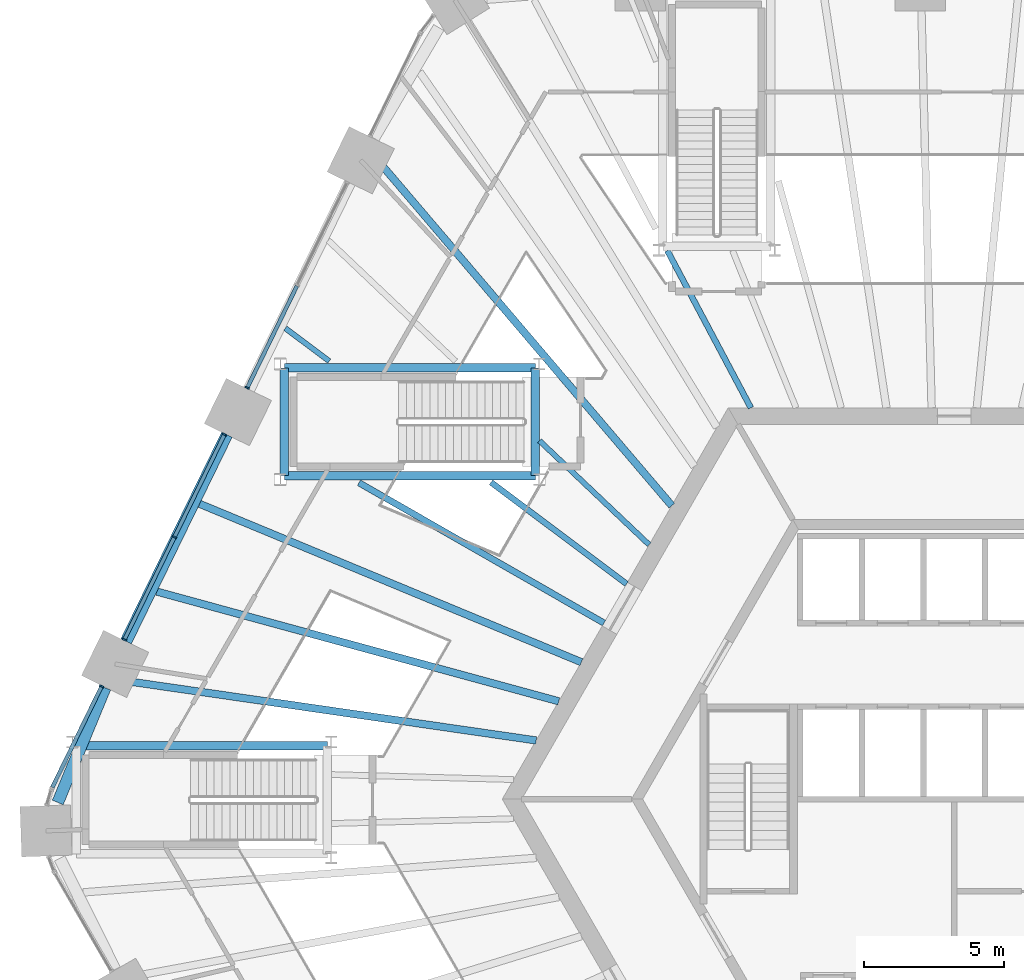
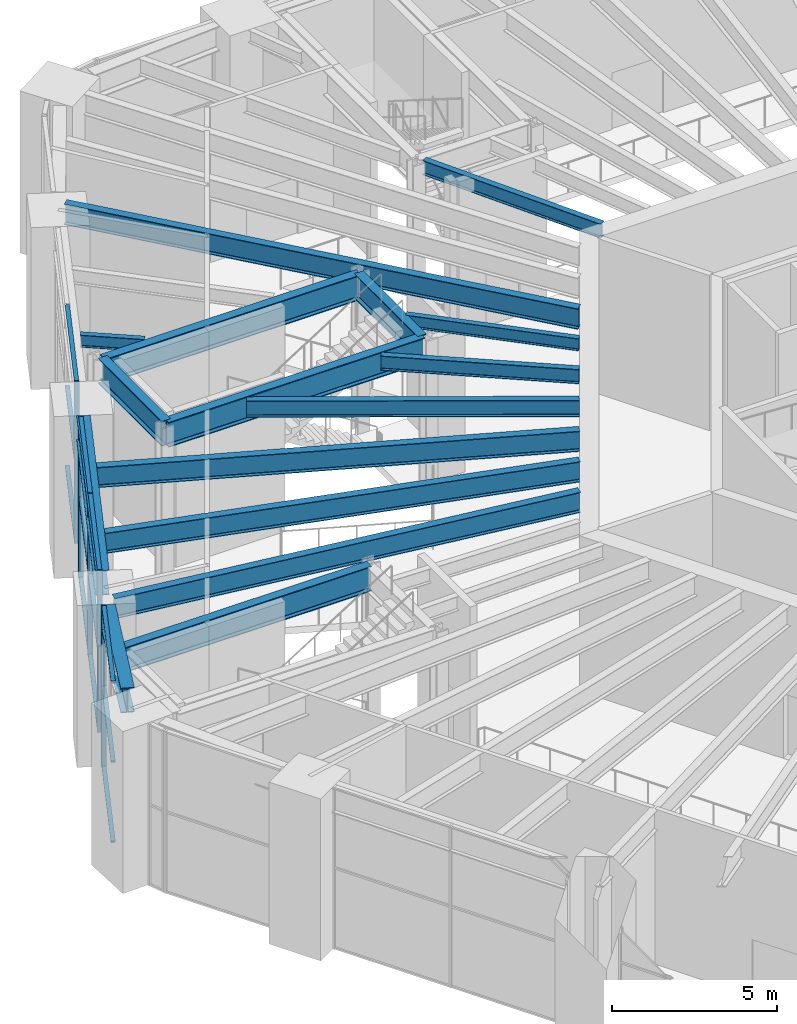
# One storey, part 7 of 32: 17 members, 16 beams, 3 elements without a shape of their own.
"""IFC4 building model written with IfcOpenShell, lengths in metres."""

from ifc_helpers import new_model, si_unit, direction, frame, origin, origin_2d, place, context, subcontext, project, spatial, rectangle, i_section, extrude, material, material_profile, profile_set, type_object, element, aggregate, save


model = new_model("IFC4")

# Units and contexts
model_context = context("Model", 3, precision=1e-05, world=origin(), true_north=direction((0.0, 1.0)))
body_context = subcontext(model_context, "Body", "Model", "MODEL_VIEW")
ifc_project = project(units=[si_unit("LENGTHUNIT", "METRE"), si_unit("AREAUNIT", "SQUARE_METRE"), si_unit("VOLUMEUNIT", "CUBIC_METRE"), si_unit("PLANEANGLEUNIT", "RADIAN"), si_unit("MASSUNIT", "GRAM", prefix="KILO")], contexts=[model_context])

# Site, building, storey
site_placement = place(None, origin())
site = spatial("IfcSite", under=ifc_project, at=site_placement, CompositionType="ELEMENT")
building_placement = place(site_placement, origin())
building = spatial("IfcBuilding", under=site, at=building_placement, Name="Tarnside Tower", CompositionType="ELEMENT")
storey_placement = place(building_placement, frame((0.0, 0.0, 9.0)))
storey = spatial("IfcBuildingStorey", under=building, at=storey_placement, Name="L01", CompositionType="ELEMENT", Elevation=9.0)

# Beams
ifc_material_1 = material(Name="Steel S355", Category="steel")
ifc_material_profile_1 = material_profile(ifc_material_1, i_section(OverallWidth=0.18994140625, OverallDepth=0.453369140625, WebThickness=0.008544921875, FlangeThickness=0.0126953125, FilletRadius=0.01025390625, at=origin_2d()), Name="UB 457x191x67")
ifc_profile_set_1 = profile_set([ifc_material_profile_1], Name="Steel S355")
beam_type_1 = type_object("IfcBeamType", Name="Floor beam UB 457x191x67", PredefinedType="BEAM", material=ifc_profile_set_1)
beam_1_placement = place(storey_placement, frame((-14.832275390625, 12.8173828125, 5.523193359375), z_axis=(0.725655749818, -0.688057942877, 0.0), x_axis=(0.688057942877, 0.725655749818, 0.0)))
element("IfcBeam", 1, at=beam_1_placement, inside=storey, type_object=beam_type_1, Name="Floor beam F2.03b", PredefinedType="BEAM", context=body_context, shape_type="SweptSolid", body=[
    extrude(i_section(OverallWidth=0.18994140625, OverallDepth=0.453369140625, WebThickness=0.008544921875, FlangeThickness=0.0126953125, FilletRadius=0.01025390625, at=origin_2d()), origin(), (0.0, 0.0, 1.0), 5.402587890625),
])
beam_2_placement = place(storey_placement, frame((-23.927001953125, 16.844970703125, 5.523193359375), z_axis=(0.80026824962, -0.599642167171, 0.0), x_axis=(0.599642167171, 0.80026824962, 0.0)))
element("IfcBeam", 2, at=beam_2_placement, inside=storey, type_object=beam_type_1, Name="Floor beam F2.04a", PredefinedType="BEAM", context=body_context, shape_type="SweptSolid", body=[
    extrude(i_section(OverallWidth=0.18994140625, OverallDepth=0.453369140625, WebThickness=0.008544921875, FlangeThickness=0.0126953125, FilletRadius=0.01025390625, at=origin_2d()), origin(), (0.0, 0.0, 1.0), 1.96533203125),
])
ifc_material_profile_2 = material_profile(ifc_material_1, i_section(OverallWidth=0.209228515625, OverallDepth=0.533203125, WebThickness=0.010009765625, FlangeThickness=0.015625, FilletRadius=0.0126953125, at=origin_2d()), Name="UB 533x210x92")
ifc_profile_set_2 = profile_set([ifc_material_profile_2], Name="Steel S355")
beam_type_2 = type_object("IfcBeamType", Name="Floor beam UB 533x210x92", PredefinedType="BEAM", material=ifc_profile_set_2)
beam_3_placement = place(storey_placement, frame((-10.26171875, 19.622314453125, 5.4833984375), z_axis=(0.469180459704, -0.88310231357, 0.0), x_axis=(0.88310231357, 0.469180459704, 0.0)))
element("IfcBeam", 3, at=beam_3_placement, inside=storey, type_object=beam_type_2, Name="Floor beam F1.09b", PredefinedType="BEAM", context=body_context, shape_type="SweptSolid", body=[
    extrude(i_section(OverallWidth=0.209228515625, OverallDepth=0.533203125, WebThickness=0.010009765625, FlangeThickness=0.015625, FilletRadius=0.0126953125, at=origin_2d()), origin(), (0.0, 0.0, 1.0), 6.366455078125),
])
beam_4_placement = place(storey_placement, frame((-16.570068359375, 11.33349609375, 5.4833984375), z_axis=(0.800304467872, -0.599593828107, 0.0), x_axis=(0.599593828107, 0.800304467872, 0.0)))
element("IfcBeam", 4, at=beam_4_placement, inside=storey, type_object=beam_type_2, Name="Floor beam F2.04b", PredefinedType="BEAM", context=body_context, shape_type="SweptSolid", body=[
    extrude(i_section(OverallWidth=0.209228515625, OverallDepth=0.533203125, WebThickness=0.010009765625, FlangeThickness=0.015625, FilletRadius=0.0126953125, at=origin_2d()), origin(), (0.0, 0.0, 1.0), 6.06005859375),
])
ifc_material_profile_3 = material_profile(ifc_material_1, i_section(OverallWidth=0.228271484375, OverallDepth=0.607666015625, WebThickness=0.010986328125, FlangeThickness=0.017333984375, FilletRadius=0.0126953125, at=origin_2d()), Name="UB 610x229x113")
ifc_profile_set_3 = profile_set([ifc_material_profile_3], Name="Steel S355")
beam_type_3 = type_object("IfcBeamType", Name="Floor beam UB 610x229x113", PredefinedType="BEAM", material=ifc_profile_set_3)
beam_5_placement = place(storey_placement, frame((-21.293212890625, 11.31787109375, 5.4462890625), z_axis=(0.867839710753, -0.496844277858, 0.0), x_axis=(0.496844277858, 0.867839710753, 0.0)))
element("IfcBeam", 5, at=beam_5_placement, inside=storey, type_object=beam_type_3, Name="Floor beam F2.05b", PredefinedType="BEAM", context=body_context, shape_type="SweptSolid", body=[
    extrude(i_section(OverallWidth=0.228271484375, OverallDepth=0.607666015625, WebThickness=0.010986328125, FlangeThickness=0.017333984375, FilletRadius=0.0126953125, at=origin_2d()), origin(), (0.0, 0.0, 1.0), 10.099365234375),
])
ifc_material_profile_4 = material_profile(ifc_material_1, i_section(OverallWidth=0.26513671875, OverallDepth=0.75390625, WebThickness=0.0126953125, FlangeThickness=0.017578125, FilletRadius=0.0166015625, at=origin_2d()), Name="UB 762x267x147")
ifc_profile_set_4 = profile_set([ifc_material_profile_4], Name="Steel S355")
beam_type_4 = type_object("IfcBeamType", Name="Floor beam UB 762x267x147", PredefinedType="BEAM", material=ifc_profile_set_4)
beam_6_placement = place(storey_placement, frame((-26.990966796875, 10.56298828125, 5.373046875), z_axis=(0.92370262903, -0.383110236254, 0.0), x_axis=(0.383110236254, 0.92370262903, 0.0)))
element("IfcBeam", 6, at=beam_6_placement, inside=storey, type_object=beam_type_4, Name="Floor beam F2.06", PredefinedType="BEAM", context=body_context, shape_type="SweptSolid", body=[
    extrude(i_section(OverallWidth=0.26513671875, OverallDepth=0.75390625, WebThickness=0.0126953125, FlangeThickness=0.017578125, FilletRadius=0.0166015625, at=origin_2d()), origin(), (0.0, 0.0, 1.0), 14.781982421875),
])
beam_7_placement = place(storey_placement, frame((-28.52197265625, 7.424072265625, 5.373046875), z_axis=(0.964711253144, -0.263310079673, 0.0), x_axis=(0.263310079673, 0.964711253144, 0.0)))
element("IfcBeam", 7, at=beam_7_placement, inside=storey, type_object=beam_type_4, Name="Floor beam F2.07", PredefinedType="BEAM", context=body_context, shape_type="SweptSolid", body=[
    extrude(i_section(OverallWidth=0.26513671875, OverallDepth=0.75390625, WebThickness=0.0126953125, FlangeThickness=0.017578125, FilletRadius=0.0166015625, at=origin_2d()), origin(), (0.0, 0.0, 1.0), 14.90283203125),
])
beam_8_placement = place(storey_placement, frame((-30.019775390625, 4.28173828125, 5.373046875), z_axis=(0.98967827479, -0.143307056383, 0.0), x_axis=(0.143307056383, 0.98967827479, 0.0)))
element("IfcBeam", 8, at=beam_8_placement, inside=storey, type_object=beam_type_4, Name="Floor beam F2.08", PredefinedType="BEAM", context=body_context, shape_type="SweptSolid", body=[
    extrude(i_section(OverallWidth=0.26513671875, OverallDepth=0.75390625, WebThickness=0.0126953125, FlangeThickness=0.017578125, FilletRadius=0.0166015625, at=origin_2d()), origin(), (0.0, 0.0, 1.0), 15.2236328125),
])
ifc_material_profile_5 = material_profile(ifc_material_1, i_section(OverallWidth=0.2666015625, OverallDepth=0.76220703125, WebThickness=0.014404296875, FlangeThickness=0.021484375, FilletRadius=0.0166015625, at=origin_2d()), Name="UB 762x267x173")
ifc_profile_set_5 = profile_set([ifc_material_profile_5], Name="Steel S355")
beam_type_5 = type_object("IfcBeamType", Name="Floor beam UB 762x267x173", PredefinedType="BEAM", material=ifc_profile_set_5)
beam_9_placement = place(storey_placement, frame((-20.838134765625, 23.10595703125, 5.368896484375), z_axis=(0.648333844013, -0.761356175983, 0.0), x_axis=(0.761356175983, 0.648333844013, 0.0)))
element("IfcBeam", 9, at=beam_9_placement, inside=storey, type_object=beam_type_5, Name="Floor beam F2.02", PredefinedType="BEAM", context=body_context, shape_type="SweptSolid", body=[
    extrude(i_section(OverallWidth=0.2666015625, OverallDepth=0.76220703125, WebThickness=0.014404296875, FlangeThickness=0.021484375, FilletRadius=0.0166015625, at=origin_2d()), origin(), (0.0, 0.0, 1.0), 16.55712890625),
])
ifc_material_profile_6 = material_profile(ifc_material_1, i_section(OverallWidth=0.3076171875, OverallDepth=0.926513671875, WebThickness=0.01953125, FlangeThickness=0.031982421875, FilletRadius=0.01904296875, at=origin_2d()), Name="UB 914x305x289")
ifc_profile_set_6 = profile_set([ifc_material_profile_6], Name="Steel S355")
beam_type_6 = type_object("IfcBeamType", Name="Perimeter girder UB 914x305x289", PredefinedType="BEAM", material=ifc_profile_set_6)
beam_10_placement = place(storey_placement, frame((-31.40380859375, 1.90380859375, 5.28662109375), z_axis=(1.0, 0.0, 0.0), x_axis=(0.0, 1.0, 0.0)))
element("IfcBeam", 10, at=beam_10_placement, inside=storey, type_object=beam_type_6, Name="Perimeter girder T6", PredefinedType="BEAM", context=body_context, shape_type="SweptSolid", body=[
    extrude(i_section(OverallWidth=0.3076171875, OverallDepth=0.926513671875, WebThickness=0.01953125, FlangeThickness=0.031982421875, FilletRadius=0.01904296875, at=origin_2d()), origin(), (0.0, 0.0, 1.0), 8.977783203125),
])
beam_11_placement = place(storey_placement, frame((-23.9638671875, 11.5712890625, 5.28662109375), z_axis=(0.0, 1.0, 0.0), x_axis=(-1.0, 0.0, 0.0)))
element("IfcBeam", 11, at=beam_11_placement, inside=storey, type_object=beam_type_6, Name="Perimeter girder T21", PredefinedType="BEAM", context=body_context, shape_type="SweptSolid", body=[
    extrude(i_section(OverallWidth=0.3076171875, OverallDepth=0.926513671875, WebThickness=0.01953125, FlangeThickness=0.031982421875, FilletRadius=0.01904296875, at=origin_2d()), origin(), (0.0, 0.0, 1.0), 3.857421875),
])
beam_12_placement = place(storey_placement, frame((-23.9638671875, 15.4287109375, 5.28662109375), z_axis=(1.0, 0.0, 0.0), x_axis=(0.0, 1.0, 0.0)))
element("IfcBeam", 12, at=beam_12_placement, inside=storey, type_object=beam_type_6, Name="Perimeter girder T22", PredefinedType="BEAM", context=body_context, shape_type="SweptSolid", body=[
    extrude(i_section(OverallWidth=0.3076171875, OverallDepth=0.926513671875, WebThickness=0.01953125, FlangeThickness=0.031982421875, FilletRadius=0.01904296875, at=origin_2d()), origin(), (0.0, 0.0, 1.0), 8.977783203125),
])
beam_13_placement = place(storey_placement, frame((-14.986083984375, 15.4287109375, 5.28662109375), z_axis=(0.0, -1.0, 0.0), x_axis=(1.0, 0.0, 0.0)))
element("IfcBeam", 13, at=beam_13_placement, inside=storey, type_object=beam_type_6, Name="Perimeter girder T23", PredefinedType="BEAM", context=body_context, shape_type="SweptSolid", body=[
    extrude(i_section(OverallWidth=0.3076171875, OverallDepth=0.926513671875, WebThickness=0.01953125, FlangeThickness=0.031982421875, FilletRadius=0.01904296875, at=origin_2d()), origin(), (0.0, 0.0, 1.0), 3.857421875),
])
beam_14_placement = place(storey_placement, frame((-14.986083984375, 11.5712890625, 5.28662109375), z_axis=(-1.0, 0.0, 0.0), x_axis=(0.0, -1.0, 0.0)))
element("IfcBeam", 14, at=beam_14_placement, inside=storey, type_object=beam_type_6, Name="Perimeter girder T24", PredefinedType="BEAM", context=body_context, shape_type="SweptSolid", body=[
    extrude(i_section(OverallWidth=0.3076171875, OverallDepth=0.926513671875, WebThickness=0.01953125, FlangeThickness=0.031982421875, FilletRadius=0.01904296875, at=origin_2d()), origin(), (0.0, 0.0, 1.0), 8.977783203125),
])
ifc_material_2 = material(Name="Steel S460", Category="steel")
ifc_material_profile_7 = material_profile(ifc_material_2, i_section(OverallWidth=0.42041015625, OverallDepth=0.9208984375, WebThickness=0.021484375, FlangeThickness=0.03662109375, FilletRadius=0.024169921875, at=origin_2d()), Name="UB 914x419x388")
ifc_profile_set_7 = profile_set([ifc_material_profile_7], Name="Steel S460")
beam_type_7 = type_object("IfcBeamType", Name="Perimeter girder UB 914x419x388", PredefinedType="BEAM", material=ifc_profile_set_7)
beam_15_placement = place(storey_placement, frame((-26.0185546875, 13.0361328125, 5.28955078125), z_axis=(-0.438368649743, -0.898795264186, 0.0), x_axis=(0.898795264186, -0.438368649743, 0.0)))
element("IfcBeam", 15, at=beam_15_placement, inside=storey, type_object=beam_type_7, Name="Perimeter girder M06", PredefinedType="BEAM", context=body_context, shape_type="SweptSolid", body=[
    extrude(i_section(OverallWidth=0.42041015625, OverallDepth=0.9208984375, WebThickness=0.021484375, FlangeThickness=0.03662109375, FilletRadius=0.024169921875, at=origin_2d()), origin(), (0.0, 0.0, 1.0), 8.2236328125),
])
beam_16_placement = place(storey_placement, frame((-30.36962890625, 3.985595703125, 5.28955078125), z_axis=(-0.381974575495, -0.924172832145, 0.0), x_axis=(0.924172832145, -0.381974575495, 0.0)))
element("IfcBeam", 16, at=beam_16_placement, inside=storey, type_object=beam_type_7, Name="Perimeter girder M07", PredefinedType="BEAM", context=body_context, shape_type="SweptSolid", body=[
    extrude(i_section(OverallWidth=0.42041015625, OverallDepth=0.9208984375, WebThickness=0.021484375, FlangeThickness=0.03662109375, FilletRadius=0.024169921875, at=origin_2d()), origin(), (0.0, 0.0, 1.0), 4.440185546875),
])

# Curtain wall, member
ifc_material_3 = material(Name="Retail shopfront glazing wall", Category="glass")
curtain_wall_type = type_object("IfcCurtainWallType", Name="Retail shopfront glazing wall", PredefinedType="NOTDEFINED", material=ifc_material_3)
curtain_wall_1_placement = place(storey_placement, origin())
curtain_wall_1 = element("IfcCurtainWall", 17, at=curtain_wall_1_placement, inside=storey, type_object=curtain_wall_type, Name="Retail shopfront glazing L01 04.0", PredefinedType="NOTDEFINED")
ifc_material_4 = material(Name="Aluminium alloy 6063", Category="aluminium")
ifc_material_profile_8 = material_profile(ifc_material_4, rectangle(XDim=0.159912109375, YDim=0.06005859375, at=origin_2d()), Name="Retail shopfront glazing mullion 60 x 160")
ifc_profile_set_8 = profile_set([ifc_material_profile_8], Name="Aluminium alloy 6063")
member_type_1 = type_object("IfcMemberType", Name="Retail shopfront glazing mullion 60 x 160", PredefinedType="MULLION", material=ifc_profile_set_8)
member_1_placement = place(storey_placement, frame((-25.288330078125, 14.716064453125, -0.25), z_axis=(0.0, 0.0, 1.0), x_axis=(0.898794046292, -0.438371146805, 0.0)))
member_1 = element("IfcMember", 18, at=member_1_placement, type_object=member_type_1, Name="CW2 mullion 3", PredefinedType="MULLION", context=body_context, shape_type="SweptSolid", body=[
    extrude(rectangle(XDim=0.159912109375, YDim=0.06005859375, at=origin_2d()), origin(), (0.0, 0.0, 1.0), 6.0),
])

# Curtain wall, members
curtain_wall_2_placement = place(storey_placement, origin())
curtain_wall_2 = element("IfcCurtainWall", 19, at=curtain_wall_2_placement, inside=storey, type_object=curtain_wall_type, Name="Retail shopfront glazing L01 05.0", PredefinedType="NOTDEFINED")
member_2_placement = place(storey_placement, frame((-26.103515625, 13.044189453125, -0.25), z_axis=(0.0, 0.0, 1.0), x_axis=(0.898794046292, -0.438371146805, 0.0)))
member_2 = element("IfcMember", 20, at=member_2_placement, type_object=member_type_1, Name="CW2 mullion 1", PredefinedType="MULLION", context=body_context, shape_type="SweptSolid", body=[
    extrude(rectangle(XDim=0.159912109375, YDim=0.06005859375, at=origin_2d()), origin(), (0.0, 0.0, 1.0), 6.0),
])
member_3_placement = place(storey_placement, frame((-27.89306640625, 9.37548828125, -0.25), z_axis=(0.0, 0.0, 1.0), x_axis=(0.898794046292, -0.438371146805, 0.0)))
member_3 = element("IfcMember", 21, at=member_3_placement, type_object=member_type_1, Name="CW2 mullion 2", PredefinedType="MULLION", context=body_context, shape_type="SweptSolid", body=[
    extrude(rectangle(XDim=0.159912109375, YDim=0.06005859375, at=origin_2d()), origin(), (0.0, 0.0, 1.0), 6.0),
])
member_4_placement = place(storey_placement, frame((-29.682373046875, 5.706787109375, -0.25), z_axis=(0.0, 0.0, 1.0), x_axis=(0.898794046292, -0.438371146805, 0.0)))
member_4 = element("IfcMember", 22, at=member_4_placement, type_object=member_type_1, Name="CW2 mullion 3", PredefinedType="MULLION", context=body_context, shape_type="SweptSolid", body=[
    extrude(rectangle(XDim=0.159912109375, YDim=0.06005859375, at=origin_2d()), origin(), (0.0, 0.0, 1.0), 6.0),
])

# Curtain wall, member
curtain_wall_3_placement = place(storey_placement, origin())
curtain_wall_3 = element("IfcCurtainWall", 23, at=curtain_wall_3_placement, inside=storey, type_object=curtain_wall_type, Name="Retail shopfront glazing L01 06.0", PredefinedType="NOTDEFINED")
member_5_placement = place(storey_placement, frame((-30.497802734375, 4.03515625, -0.25), z_axis=(0.0, 0.0, 1.0), x_axis=(0.898794046314, -0.438371146758, 0.0)))
member_5 = element("IfcMember", 24, at=member_5_placement, type_object=member_type_1, Name="CW2 mullion 1", PredefinedType="MULLION", context=body_context, shape_type="SweptSolid", body=[
    extrude(rectangle(XDim=0.159912109375, YDim=0.06005859375, at=origin_2d()), origin(), (0.0, 0.0, 1.0), 6.0),
])

# Member
ifc_material_profile_9 = material_profile(ifc_material_4, rectangle(XDim=0.139892578125, YDim=0.06005859375, at=origin_2d()), Name="Retail shopfront glazing transom 60 x 140")
ifc_profile_set_9 = profile_set([ifc_material_profile_9], Name="Aluminium alloy 6063")
member_type_2 = type_object("IfcMemberType", Name="Retail shopfront glazing transom 60 x 140", PredefinedType="USERDEFINED", material=ifc_profile_set_9)
member_6_placement = place(storey_placement, frame((-23.511962890625, 18.35791015625, -0.219970703125), z_axis=(-0.438378186386, -0.898790612824, 0.0), x_axis=(0.898790612824, -0.438378186386, 0.0)))
member_6 = element("IfcMember", 25, at=member_6_placement, type_object=member_type_2, Name="CW2 transom 2.1", ObjectType="TRANSOM", PredefinedType="USERDEFINED", context=body_context, shape_type="SweptSolid", body=[
    extrude(rectangle(XDim=0.139892578125, YDim=0.06005859375, at=origin_2d()), origin(), (0.0, 0.0, 1.0), 4.02197265625),
])

member_7_placement = place(storey_placement, frame((-23.511962890625, 18.35791015625, 2.75), z_axis=(-0.438378186386, -0.898790612824, 0.0), x_axis=(0.898790612824, -0.438378186386, 0.0)))
member_7 = element("IfcMember", 26, at=member_7_placement, type_object=member_type_2, Name="CW2 transom 2.2", ObjectType="TRANSOM", PredefinedType="USERDEFINED", context=body_context, shape_type="SweptSolid", body=[
    extrude(rectangle(XDim=0.139892578125, YDim=0.06005859375, at=origin_2d()), origin(), (0.0, 0.0, 1.0), 4.02197265625),
])

member_8_placement = place(storey_placement, frame((-23.511962890625, 18.35791015625, 5.719970703125), z_axis=(-0.438378186386, -0.898790612824, 0.0), x_axis=(0.898790612824, -0.438378186386, 0.0)))
member_8 = element("IfcMember", 27, at=member_8_placement, type_object=member_type_2, Name="CW2 transom 2.3", ObjectType="TRANSOM", PredefinedType="USERDEFINED", context=body_context, shape_type="SweptSolid", body=[
    extrude(rectangle(XDim=0.139892578125, YDim=0.06005859375, at=origin_2d()), origin(), (0.0, 0.0, 1.0), 4.02197265625),
])

aggregate(curtain_wall_1, [member_1, member_6, member_7, member_8])

member_9_placement = place(storey_placement, frame((-26.11669921875, 13.017333984375, -0.219970703125), z_axis=(-0.438402104107, -0.898778946747, 0.0), x_axis=(0.898778946747, -0.438402104107, 0.0)))
member_9 = element("IfcMember", 28, at=member_9_placement, type_object=member_type_2, Name="CW2 transom 1.1", ObjectType="TRANSOM", PredefinedType="USERDEFINED", context=body_context, shape_type="SweptSolid", body=[
    extrude(rectangle(XDim=0.139892578125, YDim=0.06005859375, at=origin_2d()), origin(), (0.0, 0.0, 1.0), 4.021728515625),
])

member_10_placement = place(storey_placement, frame((-26.11669921875, 13.017333984375, 2.75), z_axis=(-0.438402104107, -0.898778946747, 0.0), x_axis=(0.898778946747, -0.438402104107, 0.0)))
member_10 = element("IfcMember", 29, at=member_10_placement, type_object=member_type_2, Name="CW2 transom 1.2", ObjectType="TRANSOM", PredefinedType="USERDEFINED", context=body_context, shape_type="SweptSolid", body=[
    extrude(rectangle(XDim=0.139892578125, YDim=0.06005859375, at=origin_2d()), origin(), (0.0, 0.0, 1.0), 4.021728515625),
])

member_11_placement = place(storey_placement, frame((-26.11669921875, 13.017333984375, 5.719970703125), z_axis=(-0.438402104107, -0.898778946747, 0.0), x_axis=(0.898778946747, -0.438402104107, 0.0)))
member_11 = element("IfcMember", 30, at=member_11_placement, type_object=member_type_2, Name="CW2 transom 1.3", ObjectType="TRANSOM", PredefinedType="USERDEFINED", context=body_context, shape_type="SweptSolid", body=[
    extrude(rectangle(XDim=0.139892578125, YDim=0.06005859375, at=origin_2d()), origin(), (0.0, 0.0, 1.0), 4.021728515625),
])

member_12_placement = place(storey_placement, frame((-27.906005859375, 9.3486328125, -0.219970703125), z_axis=(-0.438402104107, -0.898778946747, 0.0), x_axis=(0.898778946747, -0.438402104107, 0.0)))
member_12 = element("IfcMember", 31, at=member_12_placement, type_object=member_type_2, Name="CW2 transom 2.1", ObjectType="TRANSOM", PredefinedType="USERDEFINED", context=body_context, shape_type="SweptSolid", body=[
    extrude(rectangle(XDim=0.139892578125, YDim=0.06005859375, at=origin_2d()), origin(), (0.0, 0.0, 1.0), 4.021728515625),
])

member_13_placement = place(storey_placement, frame((-27.906005859375, 9.3486328125, 2.75), z_axis=(-0.438402104107, -0.898778946747, 0.0), x_axis=(0.898778946747, -0.438402104107, 0.0)))
member_13 = element("IfcMember", 32, at=member_13_placement, type_object=member_type_2, Name="CW2 transom 2.2", ObjectType="TRANSOM", PredefinedType="USERDEFINED", context=body_context, shape_type="SweptSolid", body=[
    extrude(rectangle(XDim=0.139892578125, YDim=0.06005859375, at=origin_2d()), origin(), (0.0, 0.0, 1.0), 4.021728515625),
])

member_14_placement = place(storey_placement, frame((-27.906005859375, 9.3486328125, 5.719970703125), z_axis=(-0.438402104107, -0.898778946747, 0.0), x_axis=(0.898778946747, -0.438402104107, 0.0)))
member_14 = element("IfcMember", 33, at=member_14_placement, type_object=member_type_2, Name="CW2 transom 2.3", ObjectType="TRANSOM", PredefinedType="USERDEFINED", context=body_context, shape_type="SweptSolid", body=[
    extrude(rectangle(XDim=0.139892578125, YDim=0.06005859375, at=origin_2d()), origin(), (0.0, 0.0, 1.0), 4.021728515625),
])

aggregate(curtain_wall_2, [member_2, member_3, member_4, member_9, member_10, member_11, member_12, member_13, member_14])

member_15_placement = place(storey_placement, frame((-30.5107421875, 4.008056640625, -0.219970703125), z_axis=(-0.438385073172, -0.898787253815, 0.0), x_axis=(0.898787253815, -0.438385073172, 0.0)))
member_15 = element("IfcMember", 34, at=member_15_placement, type_object=member_type_2, Name="CW2 transom 1.1", ObjectType="TRANSOM", PredefinedType="USERDEFINED", context=body_context, shape_type="SweptSolid", body=[
    extrude(rectangle(XDim=0.139892578125, YDim=0.06005859375, at=origin_2d()), origin(), (0.0, 0.0, 1.0), 3.991943359375),
])

member_16_placement = place(storey_placement, frame((-30.5107421875, 4.008056640625, 2.75), z_axis=(-0.438385073172, -0.898787253815, 0.0), x_axis=(0.898787253815, -0.438385073172, 0.0)))
member_16 = element("IfcMember", 35, at=member_16_placement, type_object=member_type_2, Name="CW2 transom 1.2", ObjectType="TRANSOM", PredefinedType="USERDEFINED", context=body_context, shape_type="SweptSolid", body=[
    extrude(rectangle(XDim=0.139892578125, YDim=0.06005859375, at=origin_2d()), origin(), (0.0, 0.0, 1.0), 3.991943359375),
])

member_17_placement = place(storey_placement, frame((-30.5107421875, 4.008056640625, 5.719970703125), z_axis=(-0.438385073172, -0.898787253815, 0.0), x_axis=(0.898787253815, -0.438385073172, 0.0)))
member_17 = element("IfcMember", 36, at=member_17_placement, type_object=member_type_2, Name="CW2 transom 1.3", ObjectType="TRANSOM", PredefinedType="USERDEFINED", context=body_context, shape_type="SweptSolid", body=[
    extrude(rectangle(XDim=0.139892578125, YDim=0.06005859375, at=origin_2d()), origin(), (0.0, 0.0, 1.0), 3.991943359375),
])

aggregate(curtain_wall_3, [member_5, member_15, member_16, member_17])

save(model, "model.ifc")
